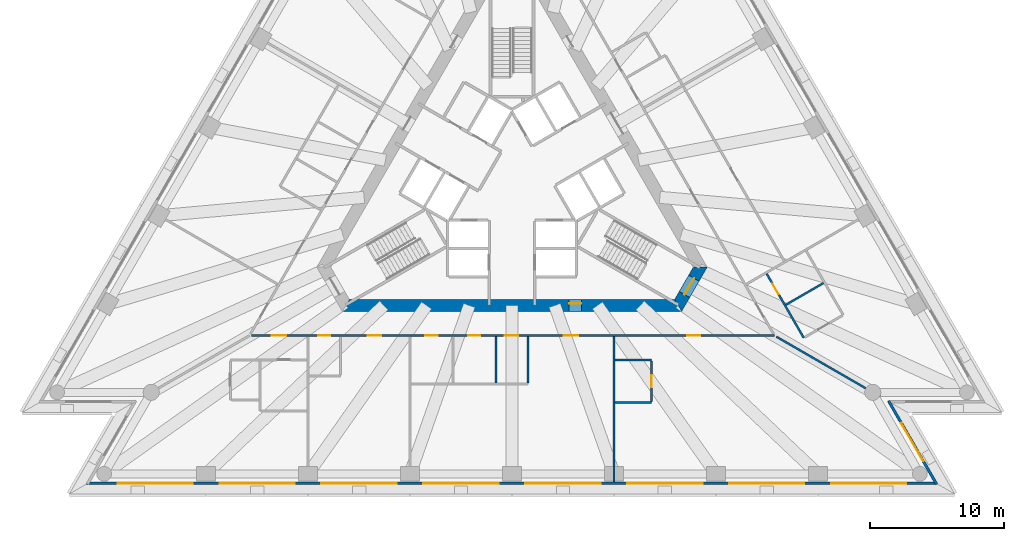
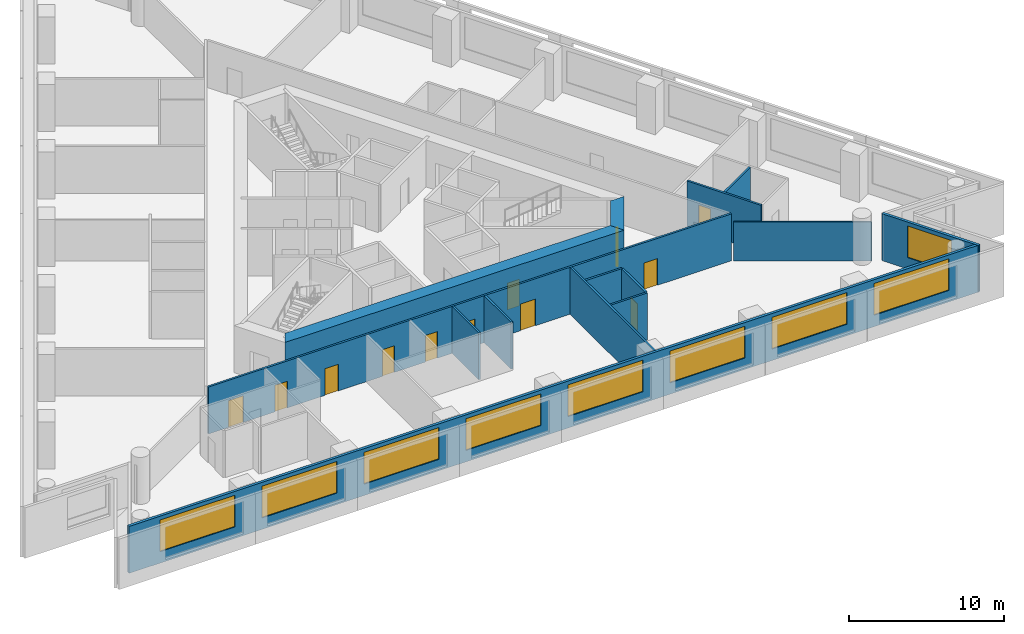
# One storey, part 5 of 11: 14 walls, 12 doors, 9 windows, 21 openings.
"""IFC4 building model written with IfcOpenShell, lengths in metres."""

import ifcopenshell
import ifcopenshell.guid

model = None  # the IFC model being written
_history = None  # IfcOwnerHistory: only IFC2X3 demands one
_inside = {}  # id of a spatial element -> (the spatial element, [elements in it])
_under = {}  # id of a project, library or spatial element -> (it, [spatial elements below it])
_declared = {}  # id of a project -> (the project, [libraries it declares])
_typed = {}  # id of a type object -> (the type object, [elements of that type])
_made_of = {}  # id of a material, layer set ... -> (it, [elements and type objects made of it])


def new_model(schema):
    """Start an empty IFC model of exactly this schema.

    Asked for "IFC4X3", IfcOpenShell would pick the latest addendum, in which some entities
    have other attributes; the version numbers below select the first issue.
    IFC2X3 requires an IfcOwnerHistory on every rooted entity: one is made here for all.
    """
    global model, _history
    if schema == "IFC4X3":
        model = ifcopenshell.file(schema_version=(4, 3, 0, 0))
    else:
        model = ifcopenshell.file(schema=schema)
    _inside.clear()
    _under.clear()
    _declared.clear()
    _typed.clear()
    _made_of.clear()
    _history = None
    if model.schema == "IFC2X3":
        org = make("IfcOrganization", Name="unknown")
        user = make(
            "IfcPersonAndOrganization",
            ThePerson=make("IfcPerson", FamilyName="unknown"),
            TheOrganization=org,
        )
        app = make(
            "IfcApplication",
            ApplicationDeveloper=org,
            Version="unknown",
            ApplicationFullName="unknown",
            ApplicationIdentifier="unknown",
        )
        _history = make(
            "IfcOwnerHistory",
            OwningUser=user,
            OwningApplication=app,
            ChangeAction="ADDED",
            CreationDate=0,
        )
    return model


def make(cls, **values):
    """One entity of the class cls with the attributes given. An attribute that is None is left unset."""
    return model.create_entity(
        cls, **{name: value for name, value in values.items() if value is not None}
    )


def rooted(cls, **values):
    """An entity with a GlobalId (a new one), such as an element, a storey or a relation."""
    return make(cls, GlobalId=ifcopenshell.guid.new(), OwnerHistory=_history, **values)


def si_unit(unit_type, name, prefix=None):
    """IfcSIUnit, for example si_unit("LENGTHUNIT", "METRE", prefix="MILLI")."""
    return make("IfcSIUnit", UnitType=unit_type, Prefix=prefix, Name=name)


def assignment(units):
    """IfcUnitAssignment: the units of a project."""
    return None if units is None else make("IfcUnitAssignment", Units=units)


def point(xyz):
    """IfcCartesianPoint."""
    return None if xyz is None else make("IfcCartesianPoint", Coordinates=xyz)


def direction(xyz):
    """IfcDirection."""
    return None if xyz is None else make("IfcDirection", DirectionRatios=xyz)


def frame(location, z_axis=None, x_axis=None):
    """IfcAxis2Placement3D, a coordinate frame: its origin and axes. An axis left out is left unset."""
    return make(
        "IfcAxis2Placement3D",
        Location=point(location),
        Axis=direction(z_axis),
        RefDirection=direction(x_axis),
    )


def frame_2d(location, x_axis=None):
    """IfcAxis2Placement2D, a coordinate frame in the plane: its origin and x axis."""
    return make(
        "IfcAxis2Placement2D", Location=point(location), RefDirection=direction(x_axis)
    )


def origin():
    """The frame at (0, 0, 0) with its axes left unset."""
    return frame((0.0, 0.0, 0.0))


def place(relative_to, where):
    """IfcLocalPlacement: puts the frame where relative to a parent placement (None: the world)."""
    return make(
        "IfcLocalPlacement", PlacementRelTo=relative_to, RelativePlacement=where
    )


def context(
    kind, dimensions, precision=None, world=None, true_north=None, identifier=None
):
    """IfcGeometricRepresentationContext, for example the 3D "Model" context."""
    return make(
        "IfcGeometricRepresentationContext",
        ContextIdentifier=identifier,
        ContextType=kind,
        CoordinateSpaceDimension=dimensions,
        Precision=precision,
        WorldCoordinateSystem=world,
        TrueNorth=true_north,
    )


def subcontext(parent, identifier, kind, view, scale=None):
    """IfcGeometricRepresentationSubContext, for example "Body" below "Model"."""
    return make(
        "IfcGeometricRepresentationSubContext",
        ContextIdentifier=identifier,
        ContextType=kind,
        ParentContext=parent,
        TargetScale=scale,
        TargetView=view,
    )


def project(units=None, contexts=None):
    """IfcProject with its units and contexts."""
    return rooted(
        "IfcProject",
        Name="project",
        RepresentationContexts=contexts,
        UnitsInContext=assignment(units),
    )


def spatial(cls, under=None, at=None, **own):
    """A site, building, storey or space (cls), placed at a placement, below another one or the project."""
    s = rooted(cls, ObjectPlacement=at, **own)
    if under is not None:
        _under.setdefault(under.id(), (under, []))[1].append(s)
    return s


def polyline(points):
    """IfcPolyline through the points."""
    return make("IfcPolyline", Points=[point(p) for p in points])


def profile(cls, at=None, kind="AREA", **sizes):
    """A parametric profile (cls). Its sizes go by their IFC names, for example OverallWidth=200.0."""
    return make(cls, ProfileType=kind, Position=at, **sizes)


def rectangle(**sizes):
    """IfcRectangleProfileDef."""
    return profile("IfcRectangleProfileDef", **sizes)


def outline(outer, holes=None, kind="AREA"):
    """IfcArbitraryClosedProfileDef: a profile drawn as a closed curve; with holes, ...WithVoids."""
    if holes is None:
        return make("IfcArbitraryClosedProfileDef", ProfileType=kind, OuterCurve=outer)
    return make(
        "IfcArbitraryProfileDefWithVoids",
        ProfileType=kind,
        OuterCurve=outer,
        InnerCurves=holes,
    )


def extrude(swept, where, along, depth):
    """IfcExtrudedAreaSolid: the profile swept, set in the frame where, extruded along a direction by depth."""
    return make(
        "IfcExtrudedAreaSolid",
        SweptArea=swept,
        Position=where,
        ExtrudedDirection=direction(along),
        Depth=depth,
    )


def shape(context_of_items, identifier, shape_type, items):
    """IfcShapeRepresentation: the items that make up one representation, for example the "Body"."""
    return make(
        "IfcShapeRepresentation",
        ContextOfItems=context_of_items,
        RepresentationIdentifier=identifier,
        RepresentationType=shape_type,
        Items=items,
    )


def material(Name=None, Category=None):
    """IfcMaterial."""
    return make("IfcMaterial", Name=Name, Category=Category)


def layer(
    of_material, thickness, ventilated=None, Name=None, Category=None, Priority=None
):
    """IfcMaterialLayer: one layer of a wall or slab, of a material (None: an air gap)."""
    return make(
        "IfcMaterialLayer",
        Material=of_material,
        LayerThickness=thickness,
        IsVentilated=ventilated,
        Name=Name,
        Category=Category,
        Priority=Priority,
    )


def layer_set(layers, Name=None):
    """IfcMaterialLayerSet."""
    return make("IfcMaterialLayerSet", MaterialLayers=layers, LayerSetName=Name)


def layer_usage(for_layer_set, set_direction, sense, offset, extent=None):
    """IfcMaterialLayerSetUsage: how a layer set lies in its element."""
    return make(
        "IfcMaterialLayerSetUsage",
        ForLayerSet=for_layer_set,
        LayerSetDirection=set_direction,
        DirectionSense=sense,
        OffsetFromReferenceLine=offset,
        ReferenceExtent=extent,
    )


def made_of(thing, what):
    """Note that an element or type object is made of a material, layer set ...; save() writes the relation."""
    if what is not None:
        _made_of.setdefault(what.id(), (what, []))[1].append(thing)
    return thing


def type_object(cls, material=None, **own):
    """A type object (cls), such as IfcWallType, which elements share."""
    return made_of(rooted(cls, **own), material)


def element(
    cls,
    number,
    at=None,
    inside=None,
    cuts=None,
    type_object=None,
    material=None,
    context=None,
    identifier="Body",
    shape_type=None,
    held_by="IfcProductDefinitionShape",
    body=None,
    shapes=None,
    **own,
):
    """One element of the class cls, such as IfcWall. Its Tag is "e" and its number.

    at: its placement. inside: the storey or other place that contains it. cuts: it is an
    opening in that element (IfcRelVoidsElement). A single representation is given by context,
    identifier, shape_type and body (its items); several are given by shapes. held_by: the class
    of the entity that holds the representations. save() writes the other relations.
    """
    e = rooted(cls, Tag="e%d" % number, ObjectPlacement=at, **own)
    if body is not None:
        shapes = [shape(context, identifier, shape_type, body)]
    if shapes is not None:
        e.Representation = make(held_by, Representations=shapes)
    if inside is not None:
        _inside.setdefault(inside.id(), (inside, []))[1].append(e)
    if cuts is not None:
        rooted(
            "IfcRelVoidsElement", RelatingBuildingElement=cuts, RelatedOpeningElement=e
        )
    if type_object is not None:
        _typed.setdefault(type_object.id(), (type_object, []))[1].append(e)
    return made_of(e, material)


def fill(opening, filler):
    """IfcRelFillsElement: the door or window that sits in an opening."""
    return rooted(
        "IfcRelFillsElement",
        RelatingOpeningElement=opening,
        RelatedBuildingElement=filler,
    )


def aggregate(whole, parts):
    """IfcRelAggregates: a whole, such as a stair, and the parts it consists of."""
    return rooted("IfcRelAggregates", RelatingObject=whole, RelatedObjects=parts)


def save(model, path):
    """Write the relations noted so far, then the file.

    IfcRelAggregates (storeys below a building ...), IfcRelContainedInSpatialStructure (elements
    in a storey), IfcRelDefinesByType, IfcRelAssociatesMaterial and IfcRelDeclares: one each for
    every whole, place, type object, material and project.
    """
    for whole, parts in _under.values():
        aggregate(whole, parts)
    for where, things in _inside.values():
        rooted(
            "IfcRelContainedInSpatialStructure",
            RelatedElements=things,
            RelatingStructure=where,
        )
    for kind, things in _typed.values():
        rooted("IfcRelDefinesByType", RelatedObjects=things, RelatingType=kind)
    for what, things in _made_of.values():
        rooted("IfcRelAssociatesMaterial", RelatedObjects=things, RelatingMaterial=what)
    for by, libraries in _declared.values():
        rooted("IfcRelDeclares", RelatingContext=by, RelatedDefinitions=libraries)
    model.write(path)


model = new_model("IFC4")

# Units and contexts
model_context = context("Model", 3, precision=1e-05, world=origin(), true_north=direction((0.0, 1.0)))
body_context = subcontext(model_context, "Body", "Model", "MODEL_VIEW")
ifc_project = project(units=[si_unit("LENGTHUNIT", "METRE"), si_unit("AREAUNIT", "SQUARE_METRE"), si_unit("VOLUMEUNIT", "CUBIC_METRE"), si_unit("PLANEANGLEUNIT", "RADIAN"), si_unit("MASSUNIT", "GRAM", prefix="KILO")], contexts=[model_context])

# Site, building, storey
site_placement = place(None, origin())
site = spatial("IfcSite", under=ifc_project, at=site_placement, CompositionType="ELEMENT")
building_placement = place(site_placement, origin())
building = spatial("IfcBuilding", under=site, at=building_placement, Name="Triada Interchange Tower", CompositionType="ELEMENT")
storey_placement = place(building_placement, frame((0.0, 0.0, 43.300048828125)))
storey = spatial("IfcBuildingStorey", under=building, at=storey_placement, Name="L08", CompositionType="ELEMENT", Elevation=43.300048828125)

# Wall, opening, door
ifc_material_1 = material(Name="Concrete C70/85", Category="concrete")
ifc_layer_1 = layer(ifc_material_1, 0.89990234375)
ifc_layer_set_1 = layer_set([ifc_layer_1], Name="Core wall A 900")
wall_type_1 = type_object("IfcWallType", Name="Core wall A 900", PredefinedType="SHEAR", material=ifc_layer_set_1)
wall_1_placement = place(storey_placement, frame((-12.384033203125, -9.050048828125, -0.300048828125), z_axis=(0.0, 0.0, 1.0), x_axis=(1.0, 0.0, 0.0)))
wall_1 = element("IfcWall", 1, at=wall_1_placement, inside=storey, type_object=wall_type_1, Name="Core wall WA04 L08", PredefinedType="SHEAR", context=body_context, shape_type="SweptSolid", body=[
    extrude(outline(polyline([(-0.260009765625, -0.449951171875), (1.685302734375, -0.449951171875), (3.63037109375, -0.449951171875), (5.57568359375, -0.449951171875), (7.52099609375, -0.449951171875), (9.466064453125, -0.449951171875), (11.411376953125, -0.449951171875), (13.356689453125, -0.449951171875), (15.302001953125, -0.449951171875), (17.2470703125, -0.449951171875), (19.1923828125, -0.449951171875), (21.1376953125, -0.449951171875), (23.082763671875, -0.449951171875), (25.028076171875, -0.449951171875), (24.508056640625, 0.449951171875), (22.642822265625, 0.449951171875), (20.777587890625, 0.449951171875), (18.912353515625, 0.449951171875), (17.047119140625, 0.449951171875), (15.181884765625, 0.449951171875), (13.316650390625, 0.449951171875), (11.451416015625, 0.449951171875), (9.586181640625, 0.449951171875), (7.720947265625, 0.449951171875), (5.855712890625, 0.449951171875), (3.990478515625, 0.449951171875), (2.125244140625, 0.449951171875), (0.260009765625, 0.449951171875), (-0.260009765625, -0.449951171875)])), origin(), (0.0, 0.0, 1.0), 4.0),
])
opening_1_placement = place(wall_1_placement, frame((16.64794921875, 0.0, 0.300048828125)))
opening_1 = element("IfcOpeningElement", 2, at=opening_1_placement, cuts=wall_1, Name="Opening D06-45", PredefinedType="OPENING", context=body_context, shape_type="SweptSolid", body=[
    extrude(rectangle(XDim=0.89990234375, YDim=2.10009765625, at=frame_2d((0.449951171875, 1.050048828125))), frame((0.0, 0.4599609375, 0.0), z_axis=(0.0, -1.0, 0.0), x_axis=(1.0, 0.0, 0.0)), (0.0, 0.0, 1.0), 0.919921875),
])
ifc_material_2 = material(Name="Steel S235 door leaf", Category="steel")
door_type_1 = type_object("IfcDoorType", Name="SERVICE DOOR 900 EI2 45-C5S200", OperationType="NOTDEFINED", PredefinedType="DOOR", material=ifc_material_2)
door_1_placement = place(opening_1_placement, origin())
door_1 = element("IfcDoor", 3, at=door_1_placement, inside=storey, type_object=door_type_1, Name="Door D06-45 L08", OperationType="SINGLE_SWING_LEFT", OverallHeight=2.10009765625, OverallWidth=0.89990234375, PredefinedType="DOOR", context=body_context, shape_type="SweptSolid", body=[
    extrude(rectangle(XDim=0.89990234375, YDim=2.10009765625, at=frame_2d((0.449951171875, 1.050048828125))), frame((0.0, 0.1748046875, 0.0), z_axis=(0.0, -1.0, 0.0), x_axis=(1.0, 0.0, 0.0)), (0.0, 0.0, 1.0), 0.050048828125),
])
fill(opening_1, door_1)

wall_2_placement = place(storey_placement, frame((12.384033203125, -9.050048828125, -0.300048828125), z_axis=(0.0, 0.0, 1.0), x_axis=(0.500111984565, 0.865960739811, 0.0)))
wall_2 = element("IfcWall", 4, at=wall_2_placement, inside=storey, type_object=wall_type_1, Name="Core wall WA05 L08", PredefinedType="SHEAR", context=body_context, shape_type="SweptSolid", body=[
    extrude(outline(polyline([(-0.260009765625, -0.449951171875), (1.6455078125, -0.449462890625), (3.551025390625, -0.448974609375), (3.031005859375, 0.449951171875), (1.6455078125, 0.449951171875), (0.260009765625, 0.449951171875), (-0.260009765625, -0.449951171875)])), origin(), (0.0, 0.0, 1.0), 4.0),
])
opening_2_placement = place(wall_2_placement, frame((0.946044921875, 0.0, 0.300048828125)))
opening_2 = element("IfcOpeningElement", 5, at=opening_2_placement, cuts=wall_2, Name="Opening D06-43", PredefinedType="OPENING", context=body_context, shape_type="SweptSolid", body=[
    extrude(rectangle(XDim=1.39990234375, YDim=2.10009765625, at=frame_2d((0.699951171875, 1.050048828125))), frame((0.0, 0.4599609375, 0.0), z_axis=(0.0, -1.0, 0.0), x_axis=(1.0, 0.0, 0.0)), (0.0, 0.0, 1.0), 0.919921875),
])
door_type_2 = type_object("IfcDoorType", Name="STAIR DOOR 1400 EI2 90-C5S200", OperationType="DOUBLE_DOOR_SINGLE_SWING", PredefinedType="DOOR", material=ifc_material_2)
door_2_placement = place(opening_2_placement, origin())
door_2 = element("IfcDoor", 6, at=door_2_placement, inside=storey, type_object=door_type_2, Name="Door D06-43 L08", OperationType="DOUBLE_DOOR_SINGLE_SWING", OverallHeight=2.10009765625, OverallWidth=1.39990234375, PredefinedType="DOOR", context=body_context, shape_type="SweptSolid", body=[
    extrude(rectangle(XDim=1.39990234375, YDim=2.10009765625, at=frame_2d((0.699951171875, 1.050048828125))), frame((0.0, 0.02490234375, 0.0), z_axis=(0.0, -1.0, 0.0), x_axis=(1.0, 0.0, 0.0)), (0.0, 0.0, 1.0), 0.050048828125),
])
fill(opening_2, door_2)

# Wall, openings, windows
ifc_material_3 = material(Name="Cement board")
ifc_layer_2 = layer(ifc_material_3, 0.02001953125, Name="Cement board cladding")
ifc_material_4 = material(Name="Sheathing board")
ifc_layer_3 = layer(ifc_material_4, 0.014892578125, Name="Sheathing board")
ifc_material_5 = material(Name="Mineral wool")
ifc_layer_4 = layer(ifc_material_5, 0.14990234375, Name="Mineral wool between steel studs")
ifc_material_6 = material(Name="Gypsum board")
ifc_layer_5 = layer(ifc_material_6, 0.014892578125, Name="Plasterboard lining")
ifc_layer_set_2 = layer_set([ifc_layer_2, ifc_layer_3, ifc_layer_4, ifc_layer_5], Name="External wall 200")
ifc_layer_usage = layer_usage(ifc_layer_set_2, "AXIS2", "POSITIVE", -0.10009765625)
wall_type_2 = type_object("IfcWallType", Name="External wall 200", PredefinedType="ELEMENTEDWALL", material=ifc_layer_set_2)
wall_3_placement = place(storey_placement, frame((-31.699951171875, -22.300048828125, 0.0), z_axis=(0.0, 0.0, 1.0), x_axis=(1.0, 0.0, 0.0)))
wall_3 = element("IfcWall", 7, at=wall_3_placement, inside=storey, type_object=wall_type_2, material=ifc_layer_usage, Name="External wall L08 S", PredefinedType="ELEMENTEDWALL", context=body_context, shape_type="SweptSolid", body=[
    extrude(rectangle(XDim=63.3798828125, YDim=0.199951171875, at=frame_2d((31.68994140625, 0.0))), origin(), (0.0, 0.0, 1.0), 3.699951171875),
])
opening_3_placement = place(wall_3_placement, frame((2.302978515625, 0.0, 0.89990234375)))
opening_3 = element("IfcOpeningElement", 8, at=opening_3_placement, cuts=wall_3, Name="Opening WA11", PredefinedType="OPENING", context=body_context, shape_type="SweptSolid", body=[
    extrude(rectangle(XDim=5.60009765625, YDim=2.5, at=frame_2d((2.800048828125, 1.25))), frame((0.0, 0.10986328125, 0.0), z_axis=(0.0, -1.0, 0.0), x_axis=(1.0, 0.0, 0.0)), (0.0, 0.0, 1.0), 0.219970703125),
])
opening_4_placement = place(wall_3_placement, frame((9.902099609375, 0.0, 0.89990234375)))
opening_4 = element("IfcOpeningElement", 9, at=opening_4_placement, cuts=wall_3, Name="Opening WA12", PredefinedType="OPENING", context=body_context, shape_type="SweptSolid", body=[
    extrude(rectangle(XDim=5.60009765625, YDim=2.5, at=frame_2d((2.800048828125, 1.25))), frame((0.0, 0.10986328125, 0.0), z_axis=(0.0, -1.0, 0.0), x_axis=(1.0, 0.0, 0.0)), (0.0, 0.0, 1.0), 0.219970703125),
])
opening_5_placement = place(wall_3_placement, frame((17.5009765625, 0.0, 0.89990234375)))
opening_5 = element("IfcOpeningElement", 10, at=opening_5_placement, cuts=wall_3, Name="Opening WA13", PredefinedType="OPENING", context=body_context, shape_type="SweptSolid", body=[
    extrude(rectangle(XDim=5.60009765625, YDim=2.5, at=frame_2d((2.800048828125, 1.25))), frame((0.0, 0.10986328125, 0.0), z_axis=(0.0, -1.0, 0.0), x_axis=(1.0, 0.0, 0.0)), (0.0, 0.0, 1.0), 0.219970703125),
])
opening_6_placement = place(wall_3_placement, frame((25.10009765625, 0.0, 0.89990234375)))
opening_6 = element("IfcOpeningElement", 11, at=opening_6_placement, cuts=wall_3, Name="Opening WA14", PredefinedType="OPENING", context=body_context, shape_type="SweptSolid", body=[
    extrude(rectangle(XDim=5.60009765625, YDim=2.5, at=frame_2d((2.800048828125, 1.25))), frame((0.0, 0.10986328125, 0.0), z_axis=(0.0, -1.0, 0.0), x_axis=(1.0, 0.0, 0.0)), (0.0, 0.0, 1.0), 0.219970703125),
])
opening_7_placement = place(wall_3_placement, frame((32.699951171875, 0.0, 0.89990234375)))
opening_7 = element("IfcOpeningElement", 12, at=opening_7_placement, cuts=wall_3, Name="Opening WA15", PredefinedType="OPENING", context=body_context, shape_type="SweptSolid", body=[
    extrude(rectangle(XDim=5.60009765625, YDim=2.5, at=frame_2d((2.800048828125, 1.25))), frame((0.0, 0.10986328125, 0.0), z_axis=(0.0, -1.0, 0.0), x_axis=(1.0, 0.0, 0.0)), (0.0, 0.0, 1.0), 0.219970703125),
])
opening_8_placement = place(wall_3_placement, frame((40.299072265625, 0.0, 0.89990234375)))
opening_8 = element("IfcOpeningElement", 13, at=opening_8_placement, cuts=wall_3, Name="Opening WA16", PredefinedType="OPENING", context=body_context, shape_type="SweptSolid", body=[
    extrude(rectangle(XDim=5.60009765625, YDim=2.5, at=frame_2d((2.800048828125, 1.25))), frame((0.0, 0.10986328125, 0.0), z_axis=(0.0, -1.0, 0.0), x_axis=(1.0, 0.0, 0.0)), (0.0, 0.0, 1.0), 0.219970703125),
])
opening_9_placement = place(wall_3_placement, frame((47.89794921875, 0.0, 0.89990234375)))
opening_9 = element("IfcOpeningElement", 14, at=opening_9_placement, cuts=wall_3, Name="Opening WA17", PredefinedType="OPENING", context=body_context, shape_type="SweptSolid", body=[
    extrude(rectangle(XDim=5.60009765625, YDim=2.5, at=frame_2d((2.800048828125, 1.25))), frame((0.0, 0.10986328125, 0.0), z_axis=(0.0, -1.0, 0.0), x_axis=(1.0, 0.0, 0.0)), (0.0, 0.0, 1.0), 0.219970703125),
])
opening_10_placement = place(wall_3_placement, frame((55.4970703125, 0.0, 0.89990234375)))
opening_10 = element("IfcOpeningElement", 15, at=opening_10_placement, cuts=wall_3, Name="Opening WA18", PredefinedType="OPENING", context=body_context, shape_type="SweptSolid", body=[
    extrude(rectangle(XDim=5.60009765625, YDim=2.5, at=frame_2d((2.800048828125, 1.25))), frame((0.0, 0.10986328125, 0.0), z_axis=(0.0, -1.0, 0.0), x_axis=(1.0, 0.0, 0.0)), (0.0, 0.0, 1.0), 0.219970703125),
])
ifc_material_7 = material(Name="Double glazed aluminium window", Category="aluminium")
window_type_1 = type_object("IfcWindowType", Name="Ribbon window A face", PartitioningType="SINGLE_PANEL", PredefinedType="WINDOW", material=ifc_material_7)
window_1_placement = place(opening_3_placement, origin())
window_1 = element("IfcWindow", 16, at=window_1_placement, inside=storey, type_object=window_type_1, Name="Window L08 S 1", OverallHeight=2.5, OverallWidth=5.60009765625, PartitioningType="SINGLE_PANEL", PredefinedType="WINDOW", context=body_context, shape_type="SweptSolid", body=[
    extrude(rectangle(XDim=5.60009765625, YDim=2.5, at=frame_2d((2.800048828125, 1.25))), frame((0.0, 0.030029296875, 0.0), z_axis=(0.0, -1.0, 0.0), x_axis=(1.0, 0.0, 0.0)), (0.0, 0.0, 1.0), 0.06005859375),
])
fill(opening_3, window_1)
window_2_placement = place(opening_4_placement, origin())
window_2 = element("IfcWindow", 17, at=window_2_placement, inside=storey, type_object=window_type_1, Name="Window L08 S 2", OverallHeight=2.5, OverallWidth=5.60009765625, PartitioningType="SINGLE_PANEL", PredefinedType="WINDOW", context=body_context, shape_type="SweptSolid", body=[
    extrude(rectangle(XDim=5.60009765625, YDim=2.5, at=frame_2d((2.800048828125, 1.25))), frame((0.0, 0.030029296875, 0.0), z_axis=(0.0, -1.0, 0.0), x_axis=(1.0, 0.0, 0.0)), (0.0, 0.0, 1.0), 0.06005859375),
])
fill(opening_4, window_2)
window_3_placement = place(opening_5_placement, origin())
window_3 = element("IfcWindow", 18, at=window_3_placement, inside=storey, type_object=window_type_1, Name="Window L08 S 3", OverallHeight=2.5, OverallWidth=5.60009765625, PartitioningType="SINGLE_PANEL", PredefinedType="WINDOW", context=body_context, shape_type="SweptSolid", body=[
    extrude(rectangle(XDim=5.60009765625, YDim=2.5, at=frame_2d((2.800048828125, 1.25))), frame((0.0, 0.030029296875, 0.0), z_axis=(0.0, -1.0, 0.0), x_axis=(1.0, 0.0, 0.0)), (0.0, 0.0, 1.0), 0.06005859375),
])
fill(opening_5, window_3)
window_4_placement = place(opening_6_placement, origin())
window_4 = element("IfcWindow", 19, at=window_4_placement, inside=storey, type_object=window_type_1, Name="Window L08 S 4", OverallHeight=2.5, OverallWidth=5.60009765625, PartitioningType="SINGLE_PANEL", PredefinedType="WINDOW", context=body_context, shape_type="SweptSolid", body=[
    extrude(rectangle(XDim=5.60009765625, YDim=2.5, at=frame_2d((2.800048828125, 1.25))), frame((0.0, 0.030029296875, 0.0), z_axis=(0.0, -1.0, 0.0), x_axis=(1.0, 0.0, 0.0)), (0.0, 0.0, 1.0), 0.06005859375),
])
fill(opening_6, window_4)
window_5_placement = place(opening_7_placement, origin())
window_5 = element("IfcWindow", 20, at=window_5_placement, inside=storey, type_object=window_type_1, Name="Window L08 S 5", OverallHeight=2.5, OverallWidth=5.60009765625, PartitioningType="SINGLE_PANEL", PredefinedType="WINDOW", context=body_context, shape_type="SweptSolid", body=[
    extrude(rectangle(XDim=5.60009765625, YDim=2.5, at=frame_2d((2.800048828125, 1.25))), frame((0.0, 0.030029296875, 0.0), z_axis=(0.0, -1.0, 0.0), x_axis=(1.0, 0.0, 0.0)), (0.0, 0.0, 1.0), 0.06005859375),
])
fill(opening_7, window_5)
window_6_placement = place(opening_8_placement, origin())
window_6 = element("IfcWindow", 21, at=window_6_placement, inside=storey, type_object=window_type_1, Name="Window L08 S 6", OverallHeight=2.5, OverallWidth=5.60009765625, PartitioningType="SINGLE_PANEL", PredefinedType="WINDOW", context=body_context, shape_type="SweptSolid", body=[
    extrude(rectangle(XDim=5.60009765625, YDim=2.5, at=frame_2d((2.800048828125, 1.25))), frame((0.0, 0.030029296875, 0.0), z_axis=(0.0, -1.0, 0.0), x_axis=(1.0, 0.0, 0.0)), (0.0, 0.0, 1.0), 0.06005859375),
])
fill(opening_8, window_6)
window_7_placement = place(opening_9_placement, origin())
window_7 = element("IfcWindow", 22, at=window_7_placement, inside=storey, type_object=window_type_1, Name="Window L08 S 7", OverallHeight=2.5, OverallWidth=5.60009765625, PartitioningType="SINGLE_PANEL", PredefinedType="WINDOW", context=body_context, shape_type="SweptSolid", body=[
    extrude(rectangle(XDim=5.60009765625, YDim=2.5, at=frame_2d((2.800048828125, 1.25))), frame((0.0, 0.030029296875, 0.0), z_axis=(0.0, -1.0, 0.0), x_axis=(1.0, 0.0, 0.0)), (0.0, 0.0, 1.0), 0.06005859375),
])
fill(opening_9, window_7)
window_8_placement = place(opening_10_placement, origin())
window_8 = element("IfcWindow", 23, at=window_8_placement, inside=storey, type_object=window_type_1, Name="Window L08 S 8", OverallHeight=2.5, OverallWidth=5.60009765625, PartitioningType="SINGLE_PANEL", PredefinedType="WINDOW", context=body_context, shape_type="SweptSolid", body=[
    extrude(rectangle(XDim=5.60009765625, YDim=2.5, at=frame_2d((2.800048828125, 1.25))), frame((0.0, 0.030029296875, 0.0), z_axis=(0.0, -1.0, 0.0), x_axis=(1.0, 0.0, 0.0)), (0.0, 0.0, 1.0), 0.06005859375),
])
fill(opening_10, window_8)

# Wall, opening, window
wall_4_placement = place(storey_placement, frame((31.655029296875, -22.3779296875, 0.0), z_axis=(0.0, 0.0, 1.0), x_axis=(-0.499930606701, 0.866065464318, 0.0)))
wall_4 = element("IfcWall", 24, at=wall_4_placement, inside=storey, type_object=wall_type_2, material=ifc_layer_usage, Name="External wall L08 SE-1", PredefinedType="ELEMENTEDWALL", context=body_context, shape_type="SweptSolid", body=[
    extrude(rectangle(XDim=7.1748046875, YDim=0.199951171875, at=frame_2d((3.58740234375, 0.0))), origin(), (0.0, 0.0, 1.0), 3.699951171875),
])
opening_11_placement = place(wall_4_placement, frame((1.989990234375, 0.0, 0.89990234375)))
opening_11 = element("IfcOpeningElement", 25, at=opening_11_placement, cuts=wall_4, Name="Opening WA19", PredefinedType="OPENING", context=body_context, shape_type="SweptSolid", body=[
    extrude(rectangle(XDim=3.300048828125, YDim=2.5, at=frame_2d((1.64990234375, 1.25))), frame((0.0, 0.10986328125, 0.0), z_axis=(0.0, -1.0, 0.0), x_axis=(1.0, 0.0, 0.0)), (0.0, 0.0, 1.0), 0.219970703125),
])
window_type_2 = type_object("IfcWindowType", Name="Ribbon window A pocket", PartitioningType="SINGLE_PANEL", PredefinedType="WINDOW", material=ifc_material_7)
window_9_placement = place(opening_11_placement, origin())
window_9 = element("IfcWindow", 26, at=window_9_placement, inside=storey, type_object=window_type_2, Name="Window L08 SE-1 1", OverallHeight=2.5, OverallWidth=3.300048828125, PartitioningType="SINGLE_PANEL", PredefinedType="WINDOW", context=body_context, shape_type="SweptSolid", body=[
    extrude(rectangle(XDim=3.300048828125, YDim=2.5, at=frame_2d((1.64990234375, 1.25))), frame((0.0, 0.030029296875, 0.0), z_axis=(0.0, -1.0, 0.0), x_axis=(1.0, 0.0, 0.0)), (0.0, 0.0, 1.0), 0.06005859375),
])
fill(opening_11, window_9)

# Wall, openings, doors
ifc_material_8 = material(Name="Gypsum board partition")
ifc_layer_6 = layer(ifc_material_8, 0.14990234375)
ifc_layer_set_3 = layer_set([ifc_layer_6], Name="PARTITION 150 EI 180")
wall_type_3 = type_object("IfcWallType", Name="PARTITION 150 EI 180", PredefinedType="PARTITIONING", material=ifc_layer_set_3)
wall_5_placement = place(storey_placement, frame((-19.422119140625, -11.300048828125, 0.0), z_axis=(0.0, 0.0, 1.0), x_axis=(1.0, 0.0, 0.0)))
wall_5 = element("IfcWall", 27, at=wall_5_placement, inside=storey, type_object=wall_type_3, Name="Wall L06 5", PredefinedType="PARTITIONING", context=body_context, shape_type="SweptSolid", body=[
    extrude(rectangle(XDim=38.994140625, YDim=0.14990234375, at=frame_2d((19.4970703125, 0.0))), origin(), (0.0, 0.0, 1.0), 3.699951171875),
])
opening_12_placement = place(wall_5_placement, frame((1.5, 0.0, 0.0)))
opening_12 = element("IfcOpeningElement", 28, at=opening_12_placement, cuts=wall_5, Name="Opening D06-11", PredefinedType="OPENING", context=body_context, shape_type="SweptSolid", body=[
    extrude(rectangle(XDim=1.10009765625, YDim=2.10009765625, at=frame_2d((0.550048828125, 1.050048828125))), frame((0.0, 0.0849609375, 0.0), z_axis=(0.0, -1.0, 0.0), x_axis=(1.0, 0.0, 0.0)), (0.0, 0.0, 1.0), 0.169921875),
])
opening_13_placement = place(wall_5_placement, frame((8.674072265625, 0.0, 0.0)))
opening_13 = element("IfcOpeningElement", 29, at=opening_13_placement, cuts=wall_5, Name="Opening D06-14", PredefinedType="OPENING", context=body_context, shape_type="SweptSolid", body=[
    extrude(rectangle(XDim=1.0, YDim=2.10009765625, at=frame_2d((0.5, 1.050048828125))), frame((0.0, 0.0849609375, 0.0), z_axis=(0.0, -1.0, 0.0), x_axis=(1.0, 0.0, 0.0)), (0.0, 0.0, 1.0), 0.169921875),
])
opening_14_placement = place(wall_5_placement, frame((4.97412109375, 0.0, 0.0)))
opening_14 = element("IfcOpeningElement", 30, at=opening_14_placement, cuts=wall_5, Name="Opening D06-15", PredefinedType="OPENING", context=body_context, shape_type="SweptSolid", body=[
    extrude(rectangle(XDim=0.89990234375, YDim=2.10009765625, at=frame_2d((0.449951171875, 1.050048828125))), frame((0.0, 0.0849609375, 0.0), z_axis=(0.0, -1.0, 0.0), x_axis=(1.0, 0.0, 0.0)), (0.0, 0.0, 1.0), 0.169921875),
])
opening_15_placement = place(wall_5_placement, frame((23.27294921875, 0.0, 0.0)))
opening_15 = element("IfcOpeningElement", 31, at=opening_15_placement, cuts=wall_5, Name="Opening D06-16", PredefinedType="OPENING", context=body_context, shape_type="SweptSolid", body=[
    extrude(rectangle(XDim=1.10009765625, YDim=2.10009765625, at=frame_2d((0.550048828125, 1.050048828125))), frame((0.0, 0.0849609375, 0.0), z_axis=(0.0, -1.0, 0.0), x_axis=(1.0, 0.0, 0.0)), (0.0, 0.0, 1.0), 0.169921875),
])
opening_16_placement = place(wall_5_placement, frame((12.972900390625, 0.0, 0.0)))
opening_16 = element("IfcOpeningElement", 32, at=opening_16_placement, cuts=wall_5, Name="Opening D06-17", PredefinedType="OPENING", context=body_context, shape_type="SweptSolid", body=[
    extrude(rectangle(XDim=0.89990234375, YDim=2.10009765625, at=frame_2d((0.449951171875, 1.050048828125))), frame((0.0, 0.0849609375, 0.0), z_axis=(0.0, -1.0, 0.0), x_axis=(1.0, 0.0, 0.0)), (0.0, 0.0, 1.0), 0.169921875),
])
opening_17_placement = place(wall_5_placement, frame((16.173095703125, 0.0, 0.0)))
opening_17 = element("IfcOpeningElement", 33, at=opening_17_placement, cuts=wall_5, Name="Opening D06-18", PredefinedType="OPENING", context=body_context, shape_type="SweptSolid", body=[
    extrude(rectangle(XDim=0.89990234375, YDim=2.10009765625, at=frame_2d((0.449951171875, 1.050048828125))), frame((0.0, 0.0849609375, 0.0), z_axis=(0.0, -1.0, 0.0), x_axis=(1.0, 0.0, 0.0)), (0.0, 0.0, 1.0), 0.169921875),
])
opening_18_placement = place(wall_5_placement, frame((18.873046875, 0.0, 0.0)))
opening_18 = element("IfcOpeningElement", 34, at=opening_18_placement, cuts=wall_5, Name="Opening D06-19", PredefinedType="OPENING", context=body_context, shape_type="SweptSolid", body=[
    extrude(rectangle(XDim=1.0, YDim=2.10009765625, at=frame_2d((0.5, 1.050048828125))), frame((0.0, 0.0849609375, 0.0), z_axis=(0.0, -1.0, 0.0), x_axis=(1.0, 0.0, 0.0)), (0.0, 0.0, 1.0), 0.169921875),
])
opening_19_placement = place(wall_5_placement, frame((32.470947265625, 0.0, 0.0)))
opening_19 = element("IfcOpeningElement", 35, at=opening_19_placement, cuts=wall_5, Name="Opening D06-20", PredefinedType="OPENING", context=body_context, shape_type="SweptSolid", body=[
    extrude(rectangle(XDim=1.0, YDim=2.10009765625, at=frame_2d((0.5, 1.050048828125))), frame((0.0, 0.0849609375, 0.0), z_axis=(0.0, -1.0, 0.0), x_axis=(1.0, 0.0, 0.0)), (0.0, 0.0, 1.0), 0.169921875),
])
door_type_3 = type_object("IfcDoorType", Name="ROOM DOOR 1000 EI2 90-C5S200", OperationType="NOTDEFINED", PredefinedType="DOOR", material=ifc_material_2)
door_3_placement = place(opening_13_placement, origin())
door_3 = element("IfcDoor", 36, at=door_3_placement, inside=storey, type_object=door_type_3, Name="Door D06-14 L08", OperationType="SINGLE_SWING_LEFT", OverallHeight=2.10009765625, OverallWidth=1.0, PredefinedType="DOOR", context=body_context, shape_type="SweptSolid", body=[
    extrude(rectangle(XDim=1.0, YDim=2.10009765625, at=frame_2d((0.5, 1.050048828125))), frame((0.0, 0.02490234375, 0.0), z_axis=(0.0, -1.0, 0.0), x_axis=(1.0, 0.0, 0.0)), (0.0, 0.0, 1.0), 0.050048828125),
])
fill(opening_13, door_3)
door_4_placement = place(opening_18_placement, origin())
door_4 = element("IfcDoor", 37, at=door_4_placement, inside=storey, type_object=door_type_3, Name="Door D06-19 L08", OperationType="SINGLE_SWING_LEFT", OverallHeight=2.10009765625, OverallWidth=1.0, PredefinedType="DOOR", context=body_context, shape_type="SweptSolid", body=[
    extrude(rectangle(XDim=1.0, YDim=2.10009765625, at=frame_2d((0.5, 1.050048828125))), frame((0.0, 0.02490234375, 0.0), z_axis=(0.0, -1.0, 0.0), x_axis=(1.0, 0.0, 0.0)), (0.0, 0.0, 1.0), 0.050048828125),
])
fill(opening_18, door_4)
door_5_placement = place(opening_19_placement, origin())
door_5 = element("IfcDoor", 38, at=door_5_placement, inside=storey, type_object=door_type_3, Name="Door D06-20 L08", OperationType="SINGLE_SWING_LEFT", OverallHeight=2.10009765625, OverallWidth=1.0, PredefinedType="DOOR", context=body_context, shape_type="SweptSolid", body=[
    extrude(rectangle(XDim=1.0, YDim=2.10009765625, at=frame_2d((0.5, 1.050048828125))), frame((0.0, 0.02490234375, 0.0), z_axis=(0.0, -1.0, 0.0), x_axis=(1.0, 0.0, 0.0)), (0.0, 0.0, 1.0), 0.050048828125),
])
fill(opening_19, door_5)
door_type_4 = type_object("IfcDoorType", Name="ROOM DOOR 900 EI2 90-C5S200", OperationType="NOTDEFINED", PredefinedType="DOOR", material=ifc_material_2)
door_6_placement = place(opening_16_placement, origin())
door_6 = element("IfcDoor", 39, at=door_6_placement, inside=storey, type_object=door_type_4, Name="Door D06-17 L08", OperationType="SINGLE_SWING_RIGHT", OverallHeight=2.10009765625, OverallWidth=0.89990234375, PredefinedType="DOOR", context=body_context, shape_type="SweptSolid", body=[
    extrude(rectangle(XDim=0.89990234375, YDim=2.10009765625, at=frame_2d((0.449951171875, 1.050048828125))), frame((0.0, 0.02490234375, 0.0), z_axis=(0.0, -1.0, 0.0), x_axis=(1.0, 0.0, 0.0)), (0.0, 0.0, 1.0), 0.050048828125),
])
fill(opening_16, door_6)
door_7_placement = place(opening_17_placement, origin())
door_7 = element("IfcDoor", 40, at=door_7_placement, inside=storey, type_object=door_type_4, Name="Door D06-18 L08", OperationType="SINGLE_SWING_RIGHT", OverallHeight=2.10009765625, OverallWidth=0.89990234375, PredefinedType="DOOR", context=body_context, shape_type="SweptSolid", body=[
    extrude(rectangle(XDim=0.89990234375, YDim=2.10009765625, at=frame_2d((0.449951171875, 1.050048828125))), frame((0.0, 0.02490234375, 0.0), z_axis=(0.0, -1.0, 0.0), x_axis=(1.0, 0.0, 0.0)), (0.0, 0.0, 1.0), 0.050048828125),
])
fill(opening_17, door_7)
door_type_5 = type_object("IfcDoorType", Name="SERVICE DOOR 900 EI2 90-C5S200", OperationType="NOTDEFINED", PredefinedType="DOOR", material=ifc_material_2)
door_8_placement = place(opening_14_placement, origin())
door_8 = element("IfcDoor", 41, at=door_8_placement, inside=storey, type_object=door_type_5, Name="Door D06-15 L08", OperationType="SINGLE_SWING_RIGHT", OverallHeight=2.10009765625, OverallWidth=0.89990234375, PredefinedType="DOOR", context=body_context, shape_type="SweptSolid", body=[
    extrude(rectangle(XDim=0.89990234375, YDim=2.10009765625, at=frame_2d((0.449951171875, 1.050048828125))), frame((0.0, 0.02490234375, 0.0), z_axis=(0.0, -1.0, 0.0), x_axis=(1.0, 0.0, 0.0)), (0.0, 0.0, 1.0), 0.050048828125),
])
fill(opening_14, door_8)
door_type_6 = type_object("IfcDoorType", Name="TENANCY ENTRANCE DOOR 1100 EI2 90-C5S200", OperationType="NOTDEFINED", PredefinedType="DOOR", material=ifc_material_2)
door_9_placement = place(opening_12_placement, origin())
door_9 = element("IfcDoor", 42, at=door_9_placement, inside=storey, type_object=door_type_6, Name="Door D06-11 L08", OperationType="SINGLE_SWING_RIGHT", OverallHeight=2.10009765625, OverallWidth=1.10009765625, PredefinedType="DOOR", context=body_context, shape_type="SweptSolid", body=[
    extrude(rectangle(XDim=1.10009765625, YDim=2.10009765625, at=frame_2d((0.550048828125, 1.050048828125))), frame((0.0, 0.02490234375, 0.0), z_axis=(0.0, -1.0, 0.0), x_axis=(1.0, 0.0, 0.0)), (0.0, 0.0, 1.0), 0.050048828125),
])
fill(opening_12, door_9)
door_10_placement = place(opening_15_placement, origin())
door_10 = element("IfcDoor", 43, at=door_10_placement, inside=storey, type_object=door_type_6, Name="Door D06-16 L08", OperationType="SINGLE_SWING_RIGHT", OverallHeight=2.10009765625, OverallWidth=1.10009765625, PredefinedType="DOOR", context=body_context, shape_type="SweptSolid", body=[
    extrude(rectangle(XDim=1.10009765625, YDim=2.10009765625, at=frame_2d((0.550048828125, 1.050048828125))), frame((0.0, 0.02490234375, 0.0), z_axis=(0.0, -1.0, 0.0), x_axis=(1.0, 0.0, 0.0)), (0.0, 0.0, 1.0), 0.050048828125),
])
fill(opening_15, door_10)

# Walls
wall_6_placement = place(storey_placement, frame((19.701904296875, -11.375, 0.0), z_axis=(0.0, 0.0, 1.0), x_axis=(0.866031533484, -0.499989382899, 0.0)))
element("IfcWall", 44, at=wall_6_placement, inside=storey, type_object=wall_type_3, Name="Wall L06 7", PredefinedType="PARTITIONING", context=body_context, shape_type="SweptSolid", body=[
    extrude(rectangle(XDim=8.920166015625, YDim=0.14990234375, at=frame_2d((4.4599609375, 0.0))), origin(), (0.0, 0.0, 1.0), 3.050048828125),
])
for number, where, z_axis, x_axis, name in (
    (45, (1.200927734375, -14.824951171875, 0.0), (0.0, 0.0, 1.0), (0.0, 1.0, 0.0), "Wall L06 22"),
    (46, (-1.198974609375, -14.824951171875, 0.0), (0.0, 0.0, 1.0), (0.0, 1.0, 0.0), "Wall L06 23"),
):
    element("IfcWall", number, at=place(storey_placement, frame(where, z_axis=z_axis, x_axis=x_axis)), inside=storey, type_object=wall_type_3, Name=name, PredefinedType="PARTITIONING", context=body_context, shape_type="SweptSolid", body=[
        extrude(rectangle(XDim=3.449951171875, YDim=0.14990234375, at=frame_2d((1.72509765625, 0.0))), origin(), (0.0, 0.0, 1.0), 3.699951171875),
    ])
wall_7_placement = place(storey_placement, frame((7.59912109375, -22.219970703125, 0.0), z_axis=(0.0, 0.0, 1.0), x_axis=(0.0, 1.0, 0.0)))
element("IfcWall", 47, at=wall_7_placement, inside=storey, type_object=wall_type_3, Name="Wall L06 29", PredefinedType="PARTITIONING", context=body_context, shape_type="SweptSolid", body=[
    extrude(rectangle(XDim=10.844970703125, YDim=0.14990234375, at=frame_2d((5.42236328125, 0.0))), origin(), (0.0, 0.0, 1.0), 3.699951171875),
])
ifc_layer_7 = layer(ifc_material_8, 0.14990234375)
ifc_layer_set_4 = layer_set([ifc_layer_7], Name="PARTITION 150 EI 90")
wall_type_4 = type_object("IfcWallType", Name="PARTITION 150 EI 90", PredefinedType="PARTITIONING", material=ifc_layer_set_4)
for number, where, z_axis, x_axis, name in (
    (48, (7.674072265625, -13.10009765625, 0.0), (0.0, 0.0, 1.0), (1.0, 0.0, 0.0), "Wall L06 35"),
    (49, (7.674072265625, -16.300048828125, 0.0), (0.0, 0.0, 1.0), (1.0, 0.0, 0.0), "Wall L06 39"),
):
    element("IfcWall", number, at=place(storey_placement, frame(where, z_axis=z_axis, x_axis=x_axis)), inside=storey, type_object=wall_type_4, Name=name, PredefinedType="PARTITIONING", context=body_context, shape_type="SweptSolid", body=[
        extrude(rectangle(XDim=2.724853515625, YDim=0.14990234375, at=frame_2d((1.3623046875, 0.0))), origin(), (0.0, 0.0, 1.0), 3.699951171875),
    ])

# Wall, opening, door
wall_8_placement = place(storey_placement, frame((10.39892578125, -16.22509765625, 0.0), z_axis=(0.0, 0.0, 1.0), x_axis=(0.0, 1.0, 0.0)))
wall_8 = element("IfcWall", 50, at=wall_8_placement, inside=storey, type_object=wall_type_4, Name="Wall L06 40", PredefinedType="PARTITIONING", context=body_context, shape_type="SweptSolid", body=[
    extrude(rectangle(XDim=3.050048828125, YDim=0.14990234375, at=frame_2d((1.52490234375, 0.0))), origin(), (0.0, 0.0, 1.0), 3.699951171875),
])
opening_20_placement = place(wall_8_placement, frame((1.074951171875, 0.0, 0.0)))
opening_20 = element("IfcOpeningElement", 51, at=opening_20_placement, cuts=wall_8, Name="Opening D06-21", PredefinedType="OPENING", context=body_context, shape_type="SweptSolid", body=[
    extrude(rectangle(XDim=0.89990234375, YDim=2.10009765625, at=frame_2d((0.449951171875, 1.050048828125))), frame((0.0, 0.0849609375, 0.0), z_axis=(0.0, -1.0, 0.0), x_axis=(1.0, 0.0, 0.0)), (0.0, 0.0, 1.0), 0.169921875),
])
door_type_7 = type_object("IfcDoorType", Name="ROOM DOOR 900 EI2 45-C5S200", OperationType="NOTDEFINED", PredefinedType="DOOR", material=ifc_material_2)
door_11_placement = place(opening_20_placement, origin())
door_11 = element("IfcDoor", 52, at=door_11_placement, inside=storey, type_object=door_type_7, Name="Door D06-21 L08", OperationType="SINGLE_SWING_RIGHT", OverallHeight=2.10009765625, OverallWidth=0.89990234375, PredefinedType="DOOR", context=body_context, shape_type="SweptSolid", body=[
    extrude(rectangle(XDim=0.89990234375, YDim=2.10009765625, at=frame_2d((0.449951171875, 1.050048828125))), frame((0.0, 0.02490234375, 0.0), z_axis=(0.0, -1.0, 0.0), x_axis=(1.0, 0.0, 0.0)), (0.0, 0.0, 1.0), 0.050048828125),
])
fill(opening_20, door_11)

# Wall
wall_9_placement = place(storey_placement, frame((20.409912109375, -9.0, 0.0), z_axis=(0.0, 0.0, 1.0), x_axis=(0.86599666273, 0.500049777664, 0.0)))
element("IfcWall", 53, at=wall_9_placement, inside=storey, type_object=wall_type_4, Name="Wall L06 42", PredefinedType="PARTITIONING", context=body_context, shape_type="SweptSolid", body=[
    extrude(rectangle(XDim=3.249755859375, YDim=0.14990234375, at=frame_2d((1.625, 0.0))), origin(), (0.0, 0.0, 1.0), 3.699951171875),
])

# Wall, opening, door
wall_10_placement = place(storey_placement, frame((18.98193359375, -6.677978515625, 0.0), z_axis=(0.0, 0.0, 1.0), x_axis=(0.500083244257, -0.865977337356, 0.0)))
wall_10 = element("IfcWall", 54, at=wall_10_placement, inside=storey, type_object=wall_type_4, Name="Wall L06 44", PredefinedType="PARTITIONING", context=body_context, shape_type="SweptSolid", body=[
    extrude(rectangle(XDim=5.525390625, YDim=0.14990234375, at=frame_2d((2.7626953125, 0.0))), origin(), (0.0, 0.0, 1.0), 3.699951171875),
])
opening_21_placement = place(wall_10_placement, frame((0.875, 0.0, 0.0)))
opening_21 = element("IfcOpeningElement", 55, at=opening_21_placement, cuts=wall_10, Name="Opening D06-23", PredefinedType="OPENING", context=body_context, shape_type="SweptSolid", body=[
    extrude(rectangle(XDim=0.89990234375, YDim=2.10009765625, at=frame_2d((0.449951171875, 1.050048828125))), frame((0.0, 0.0849609375, 0.0), z_axis=(0.0, -1.0, 0.0), x_axis=(1.0, 0.0, 0.0)), (0.0, 0.0, 1.0), 0.169921875),
])
door_12_placement = place(opening_21_placement, origin())
door_12 = element("IfcDoor", 56, at=door_12_placement, inside=storey, type_object=door_type_7, Name="Door D06-23 L08", OperationType="SINGLE_SWING_LEFT", OverallHeight=2.10009765625, OverallWidth=0.89990234375, PredefinedType="DOOR", context=body_context, shape_type="SweptSolid", body=[
    extrude(rectangle(XDim=0.89990234375, YDim=2.10009765625, at=frame_2d((0.449951171875, 1.050048828125))), frame((0.0, 0.02490234375, 0.0), z_axis=(0.0, -1.0, 0.0), x_axis=(1.0, 0.0, 0.0)), (0.0, 0.0, 1.0), 0.050048828125),
])
fill(opening_21, door_12)

save(model, "model.ifc")
